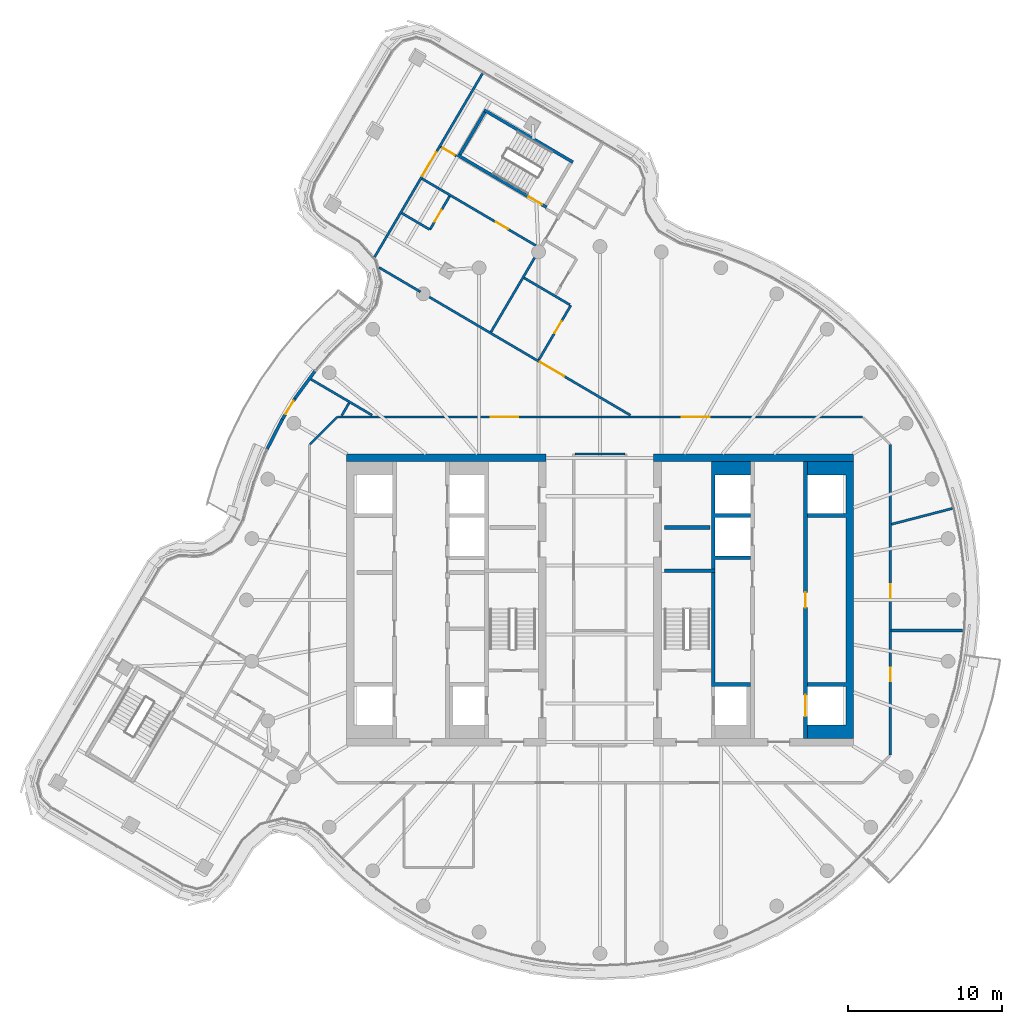
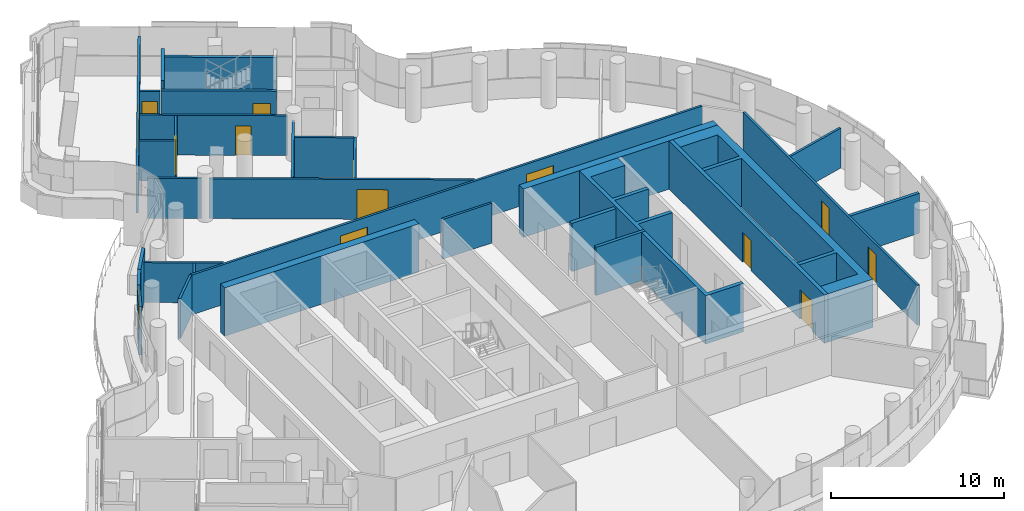
# One storey, part 19 of 26: 31 walls, 14 doors, 14 openings.
"""IFC4 building model written with IfcOpenShell, lengths in metres."""

from ifc_helpers import new_model, si_unit, direction, frame, frame_2d, origin, place, context, subcontext, project, spatial, polyline, rectangle, outline, extrude, material, layer, layer_set, type_object, element, fill, save


model = new_model("IFC4")

# Units and contexts
model_context = context("Model", 3, precision=1e-05, world=origin(), true_north=direction((0.0, 1.0)))
body_context = subcontext(model_context, "Body", "Model", "MODEL_VIEW")
ifc_project = project(units=[si_unit("LENGTHUNIT", "METRE"), si_unit("AREAUNIT", "SQUARE_METRE"), si_unit("VOLUMEUNIT", "CUBIC_METRE"), si_unit("PLANEANGLEUNIT", "RADIAN"), si_unit("MASSUNIT", "GRAM", prefix="KILO")], contexts=[model_context])

# Site, building, storey
site_placement = place(None, origin())
site = spatial("IfcSite", under=ifc_project, at=site_placement, CompositionType="ELEMENT")
building_placement = place(site_placement, origin())
building = spatial("IfcBuilding", under=site, at=building_placement, Name="Tamarind Cross Interchange Tower", CompositionType="ELEMENT")
storey_placement = place(building_placement, frame((0.0, 0.0, 248.699951171875)))
storey = spatial("IfcBuildingStorey", under=building, at=storey_placement, Name="L63", CompositionType="ELEMENT", Elevation=248.699951171875)

# Walls
ifc_material_1 = material(Name="Concrete C40", Category="concrete")
ifc_layer_1 = layer(ifc_material_1, 0.199951171875)
ifc_layer_set_1 = layer_set([ifc_layer_1], Name="Concrete C40")
wall_type_1 = type_object("IfcWallType", Name="Balcony and garden door wall", PredefinedType="SOLIDWALL", material=ifc_layer_set_1)
wall_1_placement = place(storey_placement, frame((-18.543212890625, 14.889404296875, 0.0), z_axis=(0.0, 0.0, 1.0), x_axis=(-0.591779327433, -0.806100010931, 0.0)))
element("IfcWall", 1, at=wall_1_placement, inside=storey, type_object=wall_type_1, Name="EXW-L63-04-D02L", PredefinedType="SOLIDWALL", context=body_context, shape_type="SweptSolid", body=[
    extrude(rectangle(XDim=2.189453125, YDim=0.199951171875, at=frame_2d((1.0947265625, 0.0))), origin(), (0.0, 0.0, 1.0), 3.420166015625),
])
wall_2_placement = place(storey_placement, frame((-20.66845703125, 11.757080078125, 0.0), z_axis=(0.0, 0.0, 1.0), x_axis=(-0.455802604441, -0.890080887215, 0.0)))
element("IfcWall", 2, at=wall_2_placement, inside=storey, type_object=wall_type_1, Name="EXW-L63-04-D02R", PredefinedType="SOLIDWALL", context=body_context, shape_type="SweptSolid", body=[
    extrude(rectangle(XDim=2.189208984375, YDim=0.199951171875, at=frame_2d((1.0947265625, 0.0))), origin(), (0.0, 0.0, 1.0), 3.420166015625),
])

# Wall, opening, door
wall_3_placement = place(storey_placement, frame((-19.8388671875, 13.12451171875, 0.0), z_axis=(0.0, 0.0, 1.0), x_axis=(-0.518687324951, -0.854964010316, 0.0)))
wall_3 = element("IfcWall", 3, at=wall_3_placement, inside=storey, type_object=wall_type_1, Name="EXW-L63-04-D02", PredefinedType="SOLIDWALL", context=body_context, shape_type="SweptSolid", body=[
    extrude(rectangle(XDim=1.599365234375, YDim=0.199951171875, at=frame_2d((0.7998046875, 0.0))), origin(), (0.0, 0.0, 1.0), 3.420166015625),
])
opening_1_placement = place(wall_3_placement, frame((0.199951171875, 0.0, 0.0)))
opening_1 = element("IfcOpeningElement", 4, at=opening_1_placement, cuts=wall_3, Name="Opening D2", PredefinedType="OPENING", context=body_context, shape_type="SweptSolid", body=[
    extrude(rectangle(XDim=1.0, YDim=2.39990234375, at=frame_2d((0.5, 1.199951171875))), frame((0.0, 0.10986328125, 0.0), z_axis=(0.0, -1.0, 0.0), x_axis=(1.0, 0.0, 0.0)), (0.0, 0.0, 1.0), 0.219970703125),
])
ifc_material_2 = material(Name="Aluminium and toughened glass", Category="aluminium")
door_type_1 = type_object("IfcDoorType", Name="Balcony and garden door", OperationType="SINGLE_SWING_LEFT", PredefinedType="DOOR", material=ifc_material_2)
door_1_placement = place(opening_1_placement, origin())
door_1 = element("IfcDoor", 5, at=door_1_placement, inside=storey, type_object=door_type_1, Name="DOR-L63-04-02", OperationType="SINGLE_SWING_LEFT", OverallHeight=2.39990234375, OverallWidth=1.0, PredefinedType="DOOR", context=body_context, shape_type="SweptSolid", body=[
    extrude(rectangle(XDim=1.0, YDim=2.39990234375, at=frame_2d((0.5, 1.199951171875))), frame((0.0, 0.02490234375, 0.0), z_axis=(0.0, -1.0, 0.0), x_axis=(1.0, 0.0, 0.0)), (0.0, 0.0, 1.0), 0.050048828125),
])
fill(opening_1, door_1)

# Walls
ifc_material_3 = material(Name="Concrete C50", Category="concrete")
ifc_layer_2 = layer(ifc_material_3, 0.5)
ifc_layer_set_2 = layer_set([ifc_layer_2], Name="Concrete C50")
wall_type_2 = type_object("IfcWallType", Name="Core wall 500 mm Concrete C50", PredefinedType="SHEAR", material=ifc_layer_set_2)
wall_4_placement = place(storey_placement, frame((-16.5, 9.25, 0.0), z_axis=(0.0, 0.0, 1.0), x_axis=(1.0, 0.0, 0.0)))
element("IfcWall", 6, at=wall_4_placement, inside=storey, type_object=wall_type_2, Name="Core wall CWL-L63-W-NE", PredefinedType="SHEAR", context=body_context, shape_type="SweptSolid", body=[
    extrude(rectangle(XDim=13.0, YDim=0.5, at=frame_2d((6.5, 0.0))), origin(), (0.0, 0.0, 1.0), 3.420166015625),
])
wall_5_placement = place(storey_placement, origin())
element("IfcWall", 7, at=wall_5_placement, inside=storey, type_object=wall_type_2, Name="Core wall CWL-L63-E-A", PredefinedType="SHEAR", context=body_context, shape_type="SweptSolid", body=[
    extrude(outline(polyline([(13.5, -8.125), (13.5, -9.0), (16.0, -9.0), (16.5, -9.0), (16.5, 9.0), (16.0, 9.0), (13.5, 9.0), (13.5, 8.125), (16.0, 8.125), (16.0, 5.625), (13.5, 5.625), (13.5, 5.375), (16.0, 5.375), (16.0, -5.375), (13.5, -5.375), (13.5, -5.625), (16.0, -5.625), (16.0, -8.125), (13.5, -8.125)])), origin(), (0.0, 0.0, 1.0), 3.420166015625),
])
wall_6_placement = place(storey_placement, frame((16.5, 9.25, 0.0), z_axis=(0.0, 0.0, 1.0), x_axis=(-1.0, 0.0, 0.0)))
element("IfcWall", 8, at=wall_6_placement, inside=storey, type_object=wall_type_2, Name="Core wall CWL-L63-E-NE", PredefinedType="SHEAR", context=body_context, shape_type="SweptSolid", body=[
    extrude(rectangle(XDim=13.0, YDim=0.5, at=frame_2d((6.5, 0.0))), origin(), (0.0, 0.0, 1.0), 3.420166015625),
])
ifc_layer_3 = layer(ifc_material_3, 0.199951171875)
ifc_layer_set_3 = layer_set([ifc_layer_3], Name="Concrete C50")
wall_type_3 = type_object("IfcWallType", Name="Core web wall 200 mm Concrete C50", PredefinedType="SHEAR", material=ifc_layer_set_3)
wall_7_placement = place(storey_placement, frame((7.5, 1.89990234375, 0.0), z_axis=(0.0, 0.0, 1.0), x_axis=(-1.0, 0.0, 0.0)))
element("IfcWall", 9, at=wall_7_placement, inside=storey, type_object=wall_type_3, Name="Core wall CWL-L63-E-BD", PredefinedType="SHEAR", context=body_context, shape_type="SweptSolid", body=[
    extrude(rectangle(XDim=3.300048828125, YDim=0.199951171875, at=frame_2d((1.64990234375, 0.0))), origin(), (0.0, 0.0, 1.0), 3.420166015625),
])
ifc_layer_4 = layer(ifc_material_3, 0.25)
ifc_layer_set_4 = layer_set([ifc_layer_4], Name="Concrete C50")
wall_type_4 = type_object("IfcWallType", Name="Core web wall 250 mm Concrete C50", PredefinedType="SHEAR", material=ifc_layer_set_4)
wall_8_placement = place(storey_placement, origin())
element("IfcWall", 10, at=wall_8_placement, inside=storey, type_object=wall_type_4, Name="Core wall CWL-L63-E-BN", PredefinedType="SHEAR", context=body_context, shape_type="SweptSolid", body=[
    extrude(outline(polyline([(9.800048828125, -5.375), (7.5, -5.375), (7.5, 2.625), (9.800048828125, 2.625), (9.800048828125, 2.875), (7.5, 2.875), (7.5, 5.375), (9.800048828125, 5.375), (9.800048828125, 5.625), (7.5, 5.625), (7.5, 8.125), (9.800048828125, 8.125), (9.800048828125, 9.0), (7.5, 9.0), (7.25, 9.0), (7.25, -5.625), (7.5, -5.625), (9.800048828125, -5.625), (9.800048828125, -5.375)])), origin(), (0.0, 0.0, 1.0), 3.420166015625),
])

# Wall, openings, doors
wall_9_placement = place(storey_placement, frame((13.375, -9.0, 0.0), z_axis=(0.0, 0.0, 1.0), x_axis=(0.0, 1.0, 0.0)))
wall_9 = element("IfcWall", 11, at=wall_9_placement, inside=storey, type_object=wall_type_4, Name="Core wall CWL-L63-E-LA", PredefinedType="SHEAR", context=body_context, shape_type="SweptSolid", body=[
    extrude(rectangle(XDim=18.0, YDim=0.25, at=frame_2d((9.0, 0.0))), origin(), (0.0, 0.0, 1.0), 3.420166015625),
])
opening_2_placement = place(wall_9_placement, frame((1.425048828125, 0.0, 0.0)))
opening_2 = element("IfcOpeningElement", 12, at=opening_2_placement, cuts=wall_9, Name="Opening LD13L63", PredefinedType="OPENING", context=body_context, shape_type="SweptSolid", body=[
    extrude(rectangle(XDim=1.39990234375, YDim=2.10009765625, at=frame_2d((0.699951171875, 1.050048828125))), frame((0.0, 0.135009765625, 0.0), z_axis=(0.0, -1.0, 0.0), x_axis=(1.0, 0.0, 0.0)), (0.0, 0.0, 1.0), 0.27001953125),
])
opening_3_placement = place(wall_9_placement, frame((8.5, 0.0, 0.0)))
opening_3 = element("IfcOpeningElement", 13, at=opening_3_placement, cuts=wall_9, Name="Opening DCE9", PredefinedType="OPENING", context=body_context, shape_type="SweptSolid", body=[
    extrude(rectangle(XDim=1.0, YDim=2.10009765625, at=frame_2d((0.5, 1.050048828125))), frame((0.0, 0.135009765625, 0.0), z_axis=(0.0, -1.0, 0.0), x_axis=(1.0, 0.0, 0.0)), (0.0, 0.0, 1.0), 0.27001953125),
])
ifc_material_4 = material(Name="Steel, fire-resisting", Category="steel")
door_type_2 = type_object("IfcDoorType", Name="Core fire door 1000 x 2100 FD90", OperationType="SINGLE_SWING_LEFT", PredefinedType="DOOR", material=ifc_material_4)
door_2_placement = place(opening_3_placement, origin())
door_2 = element("IfcDoor", 14, at=door_2_placement, inside=storey, type_object=door_type_2, Name="L63 Housekeeping pantry door", OperationType="SINGLE_SWING_LEFT", OverallHeight=2.10009765625, OverallWidth=1.0, PredefinedType="DOOR", context=body_context, shape_type="SweptSolid", body=[
    extrude(rectangle(XDim=1.0, YDim=2.10009765625, at=frame_2d((0.5, 1.050048828125))), frame((0.0, 0.02490234375, 0.0), z_axis=(0.0, -1.0, 0.0), x_axis=(1.0, 0.0, 0.0)), (0.0, 0.0, 1.0), 0.050048828125),
])
fill(opening_3, door_2)
ifc_material_5 = material(Name="Stainless steel panel", Category="steel")
door_type_3 = type_object("IfcDoorType", Name="Lift landing door 1400 x 2100 E 120", OperationType="SLIDING_TO_LEFT", PredefinedType="DOOR", material=ifc_material_5)
door_3_placement = place(opening_2_placement, origin())
door_3 = element("IfcDoor", 15, at=door_3_placement, inside=storey, type_object=door_type_3, Name="L63 landing door LF13", OperationType="SLIDING_TO_LEFT", OverallHeight=2.10009765625, OverallWidth=1.39990234375, PredefinedType="DOOR", context=body_context, shape_type="SweptSolid", body=[
    extrude(rectangle(XDim=1.39990234375, YDim=2.10009765625, at=frame_2d((0.699951171875, 1.050048828125))), frame((0.0, 0.02490234375, 0.0), z_axis=(0.0, -1.0, 0.0), x_axis=(1.0, 0.0, 0.0)), (0.0, 0.0, 1.0), 0.050048828125),
])
fill(opening_2, door_3)

# Walls
ifc_material_6 = material(Name="Gypsum board partition on steel studs", Category="steel")
ifc_layer_5 = layer(ifc_material_6, 0.14990234375)
ifc_layer_set_5 = layer_set([ifc_layer_5], Name="Gypsum board partition on steel studs")
wall_type_5 = type_object("IfcWallType", Name="Partition 150 mm EI 120", PredefinedType="PARTITIONING", material=ifc_layer_set_5)
wall_10_placement = place(storey_placement, frame((-18.82958984375, 14.375732421875, 0.0), z_axis=(0.0, 0.0, 1.0), x_axis=(0.862085468811, -0.506762907547, 0.0)))
element("IfcWall", 16, at=wall_10_placement, inside=storey, type_object=wall_type_5, Name="Partition L63-012", PredefinedType="PARTITIONING", context=body_context, shape_type="SweptSolid", body=[
    extrude(rectangle(XDim=4.646240234375, YDim=0.14990234375, at=frame_2d((2.3232421875, 0.0))), origin(), (0.0, 0.0, 1.0), 2.823974609375),
])
wall_11_placement = place(storey_placement, frame((-14.37939453125, 21.63671875, 0.0), z_axis=(0.0, 0.0, 1.0), x_axis=(0.862098659061, -0.506740468134, 0.0)))
element("IfcWall", 17, at=wall_11_placement, inside=storey, type_object=wall_type_5, Name="Partition L63-013", PredefinedType="PARTITIONING", context=body_context, shape_type="SweptSolid", body=[
    extrude(rectangle(XDim=3.128662109375, YDim=0.14990234375, at=frame_2d((1.564453125, 0.0))), origin(), (0.0, 0.0, 1.0), 2.823974609375),
])

# Wall, opening, door
wall_12_placement = place(storey_placement, frame((-11.294189453125, 19.8232421875, 0.0), z_axis=(0.0, 0.0, 1.0), x_axis=(0.862088271049, -0.506758140457, 0.0)))
wall_12 = element("IfcWall", 18, at=wall_12_placement, inside=storey, type_object=wall_type_5, Name="Partition L63-014", PredefinedType="PARTITIONING", context=body_context, shape_type="SweptSolid", body=[
    extrude(rectangle(XDim=15.3955078125, YDim=0.14990234375, at=frame_2d((7.69775390625, 0.0))), origin(), (0.0, 0.0, 1.0), 2.823974609375),
])
opening_4_placement = place(wall_12_placement, frame((8.58349609375, 0.0, 0.0)))
opening_4 = element("IfcOpeningElement", 19, at=opening_4_placement, cuts=wall_12, Name="Opening D03", PredefinedType="OPENING", context=body_context, shape_type="SweptSolid", body=[
    extrude(rectangle(XDim=1.800048828125, YDim=2.10009765625, at=frame_2d((0.89990234375, 1.050048828125))), frame((0.0, 0.0849609375, 0.0), z_axis=(0.0, -1.0, 0.0), x_axis=(1.0, 0.0, 0.0)), (0.0, 0.0, 1.0), 0.169921875),
])
ifc_material_7 = material(Name="Fire-resisting door set")
door_type_4 = type_object("IfcDoorType", Name="Interior door 1800 x 2100 FD60S", OperationType="DOUBLE_DOOR_SINGLE_SWING", PredefinedType="DOOR", material=ifc_material_7)
door_4_placement = place(opening_4_placement, frame((1.800048828125, 0.0, 0.0), z_axis=(0.0, 0.0, 1.0), x_axis=(-1.0, 0.0, 0.0)))
door_4 = element("IfcDoor", 20, at=door_4_placement, inside=storey, type_object=door_type_4, Name="Door D03", OperationType="DOUBLE_DOOR_SINGLE_SWING", OverallHeight=2.10009765625, OverallWidth=1.800048828125, PredefinedType="DOOR", context=body_context, shape_type="SweptSolid", body=[
    extrude(rectangle(XDim=1.800048828125, YDim=2.10009765625, at=frame_2d((0.89990234375, 1.050048828125))), frame((0.0, 0.02490234375, 0.0), z_axis=(0.0, -1.0, 0.0), x_axis=(1.0, 0.0, 0.0)), (0.0, 0.0, 1.0), 0.050048828125),
])
fill(opening_4, door_4)

# Wall
wall_13_placement = place(storey_placement, frame((-12.896240234375, 25.172119140625, 0.0), z_axis=(0.0, 0.0, 1.0), x_axis=(0.862032569566, -0.506852886948, 0.0)))
element("IfcWall", 21, at=wall_13_placement, inside=storey, type_object=wall_type_5, Name="Partition L63-015", PredefinedType="PARTITIONING", context=body_context, shape_type="SweptSolid", body=[
    extrude(rectangle(XDim=2.10546875, YDim=0.14990234375, at=frame_2d((1.052734375, 0.0))), origin(), (0.0, 0.0, 1.0), 2.823974609375),
])

# Wall, opening, door
wall_14_placement = place(storey_placement, frame((-11.578369140625, 27.4140625, 0.0), z_axis=(0.0, 0.0, 1.0), x_axis=(0.862113201937, -0.50671572607, 0.0)))
wall_14 = element("IfcWall", 22, at=wall_14_placement, inside=storey, type_object=wall_type_5, Name="Partition L63-016", PredefinedType="PARTITIONING", context=body_context, shape_type="SweptSolid", body=[
    extrude(rectangle(XDim=8.58837890625, YDim=0.14990234375, at=frame_2d((4.294189453125, 0.0))), origin(), (0.0, 0.0, 1.0), 2.820068359375),
])
opening_5_placement = place(wall_14_placement, frame((5.575439453125, 0.0, 0.0)))
opening_5 = element("IfcOpeningElement", 23, at=opening_5_placement, cuts=wall_14, Name="Opening D04", PredefinedType="OPENING", context=body_context, shape_type="SweptSolid", body=[
    extrude(rectangle(XDim=0.89990234375, YDim=2.10009765625, at=frame_2d((0.449951171875, 1.050048828125))), frame((0.0, 0.0849609375, 0.0), z_axis=(0.0, -1.0, 0.0), x_axis=(1.0, 0.0, 0.0)), (0.0, 0.0, 1.0), 0.169921875),
])
door_type_5 = type_object("IfcDoorType", Name="Interior door 900 x 2100 FD60S", OperationType="SINGLE_SWING_LEFT", PredefinedType="DOOR", material=ifc_material_7)
door_5_placement = place(opening_5_placement, frame((0.89990234375, 0.0, 0.0), z_axis=(0.0, 0.0, 1.0), x_axis=(-1.0, 0.0, 0.0)))
door_5 = element("IfcDoor", 24, at=door_5_placement, inside=storey, type_object=door_type_5, Name="Door D04", OperationType="SINGLE_SWING_RIGHT", OverallHeight=2.10009765625, OverallWidth=0.89990234375, PredefinedType="DOOR", context=body_context, shape_type="SweptSolid", body=[
    extrude(rectangle(XDim=0.89990234375, YDim=2.10009765625, at=frame_2d((0.449951171875, 1.050048828125))), frame((0.0, 0.02490234375, 0.0), z_axis=(0.0, -1.0, 0.0), x_axis=(1.0, 0.0, 0.0)), (0.0, 0.0, 1.0), 0.050048828125),
])
fill(opening_5, door_5)

wall_15_placement = place(storey_placement, frame((-10.3623046875, 29.48291015625, 0.0), z_axis=(0.0, 0.0, 1.0), x_axis=(0.862071765069, -0.506786219102, 0.0)))
wall_15 = element("IfcWall", 25, at=wall_15_placement, inside=storey, type_object=wall_type_5, Name="Partition L63-017", PredefinedType="PARTITIONING", context=body_context, shape_type="SweptSolid", body=[
    extrude(rectangle(XDim=1.18603515625, YDim=0.14990234375, at=frame_2d((0.593017578125, 0.0))), origin(), (0.0, 0.0, 1.0), 2.823974609375),
])
opening_6_placement = place(wall_15_placement, frame((0.13623046875, 0.0, 0.0)))
opening_6 = element("IfcOpeningElement", 26, at=opening_6_placement, cuts=wall_15, Name="Opening D05", PredefinedType="OPENING", context=body_context, shape_type="SweptSolid", body=[
    extrude(rectangle(XDim=0.89990234375, YDim=2.10009765625, at=frame_2d((0.449951171875, 1.050048828125))), frame((0.0, 0.0849609375, 0.0), z_axis=(0.0, -1.0, 0.0), x_axis=(1.0, 0.0, 0.0)), (0.0, 0.0, 1.0), 0.169921875),
])
door_6_placement = place(opening_6_placement, origin())
door_6 = element("IfcDoor", 27, at=door_6_placement, inside=storey, type_object=door_type_5, Name="Door D05", OperationType="SINGLE_SWING_RIGHT", OverallHeight=2.10009765625, OverallWidth=0.89990234375, PredefinedType="DOOR", context=body_context, shape_type="SweptSolid", body=[
    extrude(rectangle(XDim=0.89990234375, YDim=2.10009765625, at=frame_2d((0.449951171875, 1.050048828125))), frame((0.0, 0.02490234375, 0.0), z_axis=(0.0, -1.0, 0.0), x_axis=(1.0, 0.0, 0.0)), (0.0, 0.0, 1.0), 0.050048828125),
])
fill(opening_6, door_6)

# Wall
wall_16_placement = place(storey_placement, frame((-4.934326171875, 20.9560546875, 0.0), z_axis=(0.0, 0.0, 1.0), x_axis=(0.862152421238, -0.506648993439, 0.0)))
element("IfcWall", 28, at=wall_16_placement, inside=storey, type_object=wall_type_5, Name="Partition L63-019", PredefinedType="PARTITIONING", context=body_context, shape_type="SweptSolid", body=[
    extrude(rectangle(XDim=3.4501953125, YDim=0.14990234375, at=frame_2d((1.72509765625, 0.0))), origin(), (0.0, 0.0, 1.0), 2.823974609375),
])

# Wall, openings, doors
wall_17_placement = place(storey_placement, frame((-17.06494140625, 11.89990234375, 0.0), z_axis=(0.0, 0.0, 1.0), x_axis=(1.0, 0.0, 0.0)))
wall_17 = element("IfcWall", 29, at=wall_17_placement, inside=storey, type_object=wall_type_5, Name="Partition L63-024", PredefinedType="PARTITIONING", context=body_context, shape_type="SweptSolid", body=[
    extrude(rectangle(XDim=34.1650390625, YDim=0.14990234375, at=frame_2d((17.08251953125, 0.0))), origin(), (0.0, 0.0, 1.0), 2.823974609375),
])
opening_7_placement = place(wall_17_placement, frame((22.39990234375, 0.0, 0.0)))
opening_7 = element("IfcOpeningElement", 30, at=opening_7_placement, cuts=wall_17, Name="Opening D11", PredefinedType="OPENING", context=body_context, shape_type="SweptSolid", body=[
    extrude(rectangle(XDim=1.800048828125, YDim=2.10009765625, at=frame_2d((0.89990234375, 1.050048828125))), frame((0.0, 0.0849609375, 0.0), z_axis=(0.0, -1.0, 0.0), x_axis=(1.0, 0.0, 0.0)), (0.0, 0.0, 1.0), 0.169921875),
])
opening_8_placement = place(wall_17_placement, frame((9.947998046875, 0.0, 0.0)))
opening_8 = element("IfcOpeningElement", 31, at=opening_8_placement, cuts=wall_17, Name="Opening D12", PredefinedType="OPENING", context=body_context, shape_type="SweptSolid", body=[
    extrude(rectangle(XDim=1.800048828125, YDim=2.10009765625, at=frame_2d((0.89990234375, 1.050048828125))), frame((0.0, 0.0849609375, 0.0), z_axis=(0.0, -1.0, 0.0), x_axis=(1.0, 0.0, 0.0)), (0.0, 0.0, 1.0), 0.169921875),
])
door_7_placement = place(opening_7_placement, frame((1.800048828125, 0.0, 0.0), z_axis=(0.0, 0.0, 1.0), x_axis=(-1.0, 0.0, 0.0)))
door_7 = element("IfcDoor", 32, at=door_7_placement, inside=storey, type_object=door_type_4, Name="Door D11", OperationType="DOUBLE_DOOR_SINGLE_SWING", OverallHeight=2.10009765625, OverallWidth=1.800048828125, PredefinedType="DOOR", context=body_context, shape_type="SweptSolid", body=[
    extrude(rectangle(XDim=1.800048828125, YDim=2.10009765625, at=frame_2d((0.89990234375, 1.050048828125))), frame((0.0, 0.02490234375, 0.0), z_axis=(0.0, -1.0, 0.0), x_axis=(1.0, 0.0, 0.0)), (0.0, 0.0, 1.0), 0.050048828125),
])
fill(opening_7, door_7)
door_8_placement = place(opening_8_placement, origin())
door_8 = element("IfcDoor", 33, at=door_8_placement, inside=storey, type_object=door_type_4, Name="Door D12", OperationType="DOUBLE_DOOR_SINGLE_SWING", OverallHeight=2.10009765625, OverallWidth=1.800048828125, PredefinedType="DOOR", context=body_context, shape_type="SweptSolid", body=[
    extrude(rectangle(XDim=1.800048828125, YDim=2.10009765625, at=frame_2d((0.89990234375, 1.050048828125))), frame((0.0, 0.02490234375, 0.0), z_axis=(0.0, -1.0, 0.0), x_axis=(1.0, 0.0, 0.0)), (0.0, 0.0, 1.0), 0.050048828125),
])
fill(opening_8, door_8)

# Walls
wall_18_placement = place(storey_placement, frame((-1.639892578125, 9.5, 0.0), z_axis=(0.0, 0.0, 1.0), x_axis=(1.0, 0.0, 0.0)))
element("IfcWall", 34, at=wall_18_placement, inside=storey, type_object=wall_type_5, Name="Partition L63-029", PredefinedType="PARTITIONING", context=body_context, shape_type="SweptSolid", body=[
    extrude(rectangle(XDim=3.27978515625, YDim=0.14990234375, at=frame_2d((1.639892578125, 0.0))), origin(), (0.0, 0.0, 1.0), 2.823974609375),
])
wall_19_placement = place(storey_placement, frame((18.977294921875, 4.927001953125, 0.0), z_axis=(0.0, 0.0, 1.0), x_axis=(0.967931825744, 0.251213018594, 0.0)))
element("IfcWall", 35, at=wall_19_placement, inside=storey, type_object=wall_type_5, Name="Partition L63-030", PredefinedType="PARTITIONING", context=body_context, shape_type="SweptSolid", body=[
    extrude(rectangle(XDim=4.086669921875, YDim=0.14990234375, at=frame_2d((2.04345703125, 0.0))), origin(), (0.0, 0.0, 1.0), 2.823974609375),
])
wall_20_placement = place(storey_placement, frame((-18.87158203125, 10.12841796875, 0.0), z_axis=(0.0, 0.0, 1.0), x_axis=(0.707106781187, 0.707106781187, 0.0)))
element("IfcWall", 36, at=wall_20_placement, inside=storey, type_object=wall_type_5, Name="Partition L63-031", PredefinedType="PARTITIONING", context=body_context, shape_type="SweptSolid", body=[
    extrude(rectangle(XDim=2.50537109375, YDim=0.14990234375, at=frame_2d((1.252685546875, 0.0))), origin(), (0.0, 0.0, 1.0), 2.823974609375),
])
wall_21_placement = place(storey_placement, frame((-16.8056640625, 11.9951171875, 0.0), z_axis=(0.0, 0.0, 1.0), x_axis=(0.506627709985, 0.862164928233, 0.0)))
element("IfcWall", 37, at=wall_21_placement, inside=storey, type_object=wall_type_5, Name="Partition L63-036", PredefinedType="PARTITIONING", context=body_context, shape_type="SweptSolid", body=[
    extrude(rectangle(XDim=0.95166015625, YDim=0.14990234375, at=frame_2d((0.475830078125, 0.0))), origin(), (0.0, 0.0, 1.0), 2.823974609375),
])

# Wall, opening, door
wall_22_placement = place(storey_placement, frame((-14.66162109375, 22.31689453125, 0.0), z_axis=(0.0, 0.0, 1.0), x_axis=(0.506732099473, 0.862103578094, 0.0)))
wall_22 = element("IfcWall", 38, at=wall_22_placement, inside=storey, type_object=wall_type_5, Name="Partition L63-042", PredefinedType="PARTITIONING", context=body_context, shape_type="SweptSolid", body=[
    extrude(rectangle(XDim=13.85546875, YDim=0.14990234375, at=frame_2d((6.927734375, 0.0))), origin(), (0.0, 0.0, 1.0), 2.820068359375),
])
opening_9_placement = place(wall_22_placement, frame((6.106689453125, 0.0, 0.0)))
opening_9 = element("IfcOpeningElement", 39, at=opening_9_placement, cuts=wall_22, Name="Opening D16", PredefinedType="OPENING", context=body_context, shape_type="SweptSolid", body=[
    extrude(rectangle(XDim=1.800048828125, YDim=2.10009765625, at=frame_2d((0.89990234375, 1.050048828125))), frame((0.0, 0.0849609375, 0.0), z_axis=(0.0, -1.0, 0.0), x_axis=(1.0, 0.0, 0.0)), (0.0, 0.0, 1.0), 0.169921875),
])
door_9_placement = place(opening_9_placement, origin())
door_9 = element("IfcDoor", 40, at=door_9_placement, inside=storey, type_object=door_type_4, Name="Door D16", OperationType="DOUBLE_DOOR_SINGLE_SWING", OverallHeight=2.10009765625, OverallWidth=1.800048828125, PredefinedType="DOOR", context=body_context, shape_type="SweptSolid", body=[
    extrude(rectangle(XDim=1.800048828125, YDim=2.10009765625, at=frame_2d((0.89990234375, 1.050048828125))), frame((0.0, 0.02490234375, 0.0), z_axis=(0.0, -1.0, 0.0), x_axis=(1.0, 0.0, 0.0)), (0.0, 0.0, 1.0), 0.050048828125),
])
fill(opening_9, door_9)

wall_23_placement = place(storey_placement, frame((-11.06396484375, 24.094970703125, 0.0), z_axis=(0.0, 0.0, 1.0), x_axis=(0.506813115259, 0.862055953057, 0.0)))
wall_23 = element("IfcWall", 41, at=wall_23_placement, inside=storey, type_object=wall_type_5, Name="Partition L63-043", PredefinedType="PARTITIONING", context=body_context, shape_type="SweptSolid", body=[
    extrude(rectangle(XDim=2.525634765625, YDim=0.14990234375, at=frame_2d((1.2626953125, 0.0))), origin(), (0.0, 0.0, 1.0), 2.823974609375),
])
opening_10_placement = place(wall_23_placement, frame((0.60009765625, 0.0, 0.0)))
opening_10 = element("IfcOpeningElement", 42, at=opening_10_placement, cuts=wall_23, Name="Opening D17", PredefinedType="OPENING", context=body_context, shape_type="SweptSolid", body=[
    extrude(rectangle(XDim=0.89990234375, YDim=2.10009765625, at=frame_2d((0.449951171875, 1.050048828125))), frame((0.0, 0.0849609375, 0.0), z_axis=(0.0, -1.0, 0.0), x_axis=(1.0, 0.0, 0.0)), (0.0, 0.0, 1.0), 0.169921875),
])
door_10_placement = place(opening_10_placement, origin())
door_10 = element("IfcDoor", 43, at=door_10_placement, inside=storey, type_object=door_type_5, Name="Door D17", OperationType="SINGLE_SWING_RIGHT", OverallHeight=2.10009765625, OverallWidth=0.89990234375, PredefinedType="DOOR", context=body_context, shape_type="SweptSolid", body=[
    extrude(rectangle(XDim=0.89990234375, YDim=2.10009765625, at=frame_2d((0.449951171875, 1.050048828125))), frame((0.0, 0.02490234375, 0.0), z_axis=(0.0, -1.0, 0.0), x_axis=(1.0, 0.0, 0.0)), (0.0, 0.0, 1.0), 0.050048828125),
])
fill(opening_10, door_10)

# Wall
wall_24_placement = place(storey_placement, frame((-7.089111328125, 17.438720703125, 0.0), z_axis=(0.0, 0.0, 1.0), x_axis=(0.506780667638, 0.862075028584, 0.0)))
element("IfcWall", 44, at=wall_24_placement, inside=storey, type_object=wall_type_5, Name="Partition L63-044", PredefinedType="PARTITIONING", context=body_context, shape_type="SweptSolid", body=[
    extrude(rectangle(XDim=5.83740234375, YDim=0.14990234375, at=frame_2d((2.918701171875, 0.0))), origin(), (0.0, 0.0, 1.0), 2.823974609375),
])

# Wall, opening, door
wall_25_placement = place(storey_placement, frame((-3.9833984375, 15.617919921875, 0.0), z_axis=(0.0, 0.0, 1.0), x_axis=(0.50683367945, 0.862043862791, 0.0)))
wall_25 = element("IfcWall", 45, at=wall_25_placement, inside=storey, type_object=wall_type_5, Name="Partition L63-046", PredefinedType="PARTITIONING", context=body_context, shape_type="SweptSolid", body=[
    extrude(rectangle(XDim=4.120361328125, YDim=0.14990234375, at=frame_2d((2.06005859375, 0.0))), origin(), (0.0, 0.0, 1.0), 2.823974609375),
])
opening_11_placement = place(wall_25_placement, frame((2.02001953125, 0.0, 0.0)))
opening_11 = element("IfcOpeningElement", 46, at=opening_11_placement, cuts=wall_25, Name="Opening D19", PredefinedType="OPENING", context=body_context, shape_type="SweptSolid", body=[
    extrude(rectangle(XDim=0.89990234375, YDim=2.10009765625, at=frame_2d((0.449951171875, 1.050048828125))), frame((0.0, 0.0849609375, 0.0), z_axis=(0.0, -1.0, 0.0), x_axis=(1.0, 0.0, 0.0)), (0.0, 0.0, 1.0), 0.169921875),
])
door_11_placement = place(opening_11_placement, origin())
door_11 = element("IfcDoor", 47, at=door_11_placement, inside=storey, type_object=door_type_5, Name="Door D19", OperationType="SINGLE_SWING_LEFT", OverallHeight=2.10009765625, OverallWidth=0.89990234375, PredefinedType="DOOR", context=body_context, shape_type="SweptSolid", body=[
    extrude(rectangle(XDim=0.89990234375, YDim=2.10009765625, at=frame_2d((0.449951171875, 1.050048828125))), frame((0.0, 0.02490234375, 0.0), z_axis=(0.0, -1.0, 0.0), x_axis=(1.0, 0.0, 0.0)), (0.0, 0.0, 1.0), 0.050048828125),
])
fill(opening_11, door_11)

# Wall, openings, doors
wall_26_placement = place(storey_placement, frame((18.89990234375, -10.10009765625, 0.0), z_axis=(0.0, 0.0, 1.0), x_axis=(0.0, 1.0, 0.0)))
wall_26 = element("IfcWall", 48, at=wall_26_placement, inside=storey, type_object=wall_type_5, Name="Partition L63-057", PredefinedType="PARTITIONING", context=body_context, shape_type="SweptSolid", body=[
    extrude(rectangle(XDim=20.2001953125, YDim=0.14990234375, at=frame_2d((10.10009765625, 0.0))), origin(), (0.0, 0.0, 1.0), 2.823974609375),
])
opening_12_placement = place(wall_26_placement, frame((4.800048828125, 0.0, 0.0)))
opening_12 = element("IfcOpeningElement", 49, at=opening_12_placement, cuts=wall_26, Name="Opening D27", PredefinedType="OPENING", context=body_context, shape_type="SweptSolid", body=[
    extrude(rectangle(XDim=0.89990234375, YDim=2.10009765625, at=frame_2d((0.449951171875, 1.050048828125))), frame((0.0, 0.0849609375, 0.0), z_axis=(0.0, -1.0, 0.0), x_axis=(1.0, 0.0, 0.0)), (0.0, 0.0, 1.0), 0.169921875),
])
opening_13_placement = place(wall_26_placement, frame((10.2109375, 0.0, 0.0)))
opening_13 = element("IfcOpeningElement", 50, at=opening_13_placement, cuts=wall_26, Name="Opening D28", PredefinedType="OPENING", context=body_context, shape_type="SweptSolid", body=[
    extrude(rectangle(XDim=0.89990234375, YDim=2.10009765625, at=frame_2d((0.449951171875, 1.050048828125))), frame((0.0, 0.0849609375, 0.0), z_axis=(0.0, -1.0, 0.0), x_axis=(1.0, 0.0, 0.0)), (0.0, 0.0, 1.0), 0.169921875),
])
door_12_placement = place(opening_12_placement, frame((0.89990234375, 0.0, 0.0), z_axis=(0.0, 0.0, 1.0), x_axis=(-1.0, 0.0, 0.0)))
door_12 = element("IfcDoor", 51, at=door_12_placement, inside=storey, type_object=door_type_5, Name="Door D27", OperationType="SINGLE_SWING_LEFT", OverallHeight=2.10009765625, OverallWidth=0.89990234375, PredefinedType="DOOR", context=body_context, shape_type="SweptSolid", body=[
    extrude(rectangle(XDim=0.89990234375, YDim=2.10009765625, at=frame_2d((0.449951171875, 1.050048828125))), frame((0.0, 0.02490234375, 0.0), z_axis=(0.0, -1.0, 0.0), x_axis=(1.0, 0.0, 0.0)), (0.0, 0.0, 1.0), 0.050048828125),
])
fill(opening_12, door_12)
door_13_placement = place(opening_13_placement, frame((0.89990234375, 0.0, 0.0), z_axis=(0.0, 0.0, 1.0), x_axis=(-1.0, 0.0, 0.0)))
door_13 = element("IfcDoor", 52, at=door_13_placement, inside=storey, type_object=door_type_5, Name="Door D28", OperationType="SINGLE_SWING_RIGHT", OverallHeight=2.10009765625, OverallWidth=0.89990234375, PredefinedType="DOOR", context=body_context, shape_type="SweptSolid", body=[
    extrude(rectangle(XDim=0.89990234375, YDim=2.10009765625, at=frame_2d((0.449951171875, 1.050048828125))), frame((0.0, 0.02490234375, 0.0), z_axis=(0.0, -1.0, 0.0), x_axis=(1.0, 0.0, 0.0)), (0.0, 0.0, 1.0), 0.050048828125),
])
fill(opening_13, door_13)

# Walls
ifc_layer_6 = layer(ifc_material_6, 0.199951171875)
ifc_layer_set_6 = layer_set([ifc_layer_6], Name="Gypsum board partition on steel studs")
wall_type_6 = type_object("IfcWallType", Name="Partition 200 mm EI 180", PredefinedType="PARTITIONING", material=ifc_layer_set_6)
wall_27_placement = place(storey_placement, frame((18.955078125, -2.0, 0.0), z_axis=(0.0, 0.0, 1.0), x_axis=(1.0, 0.0, 0.0)))
element("IfcWall", 53, at=wall_27_placement, inside=storey, type_object=wall_type_6, Name="Partition L63-028", PredefinedType="PARTITIONING", context=body_context, shape_type="SweptSolid", body=[
    extrude(rectangle(XDim=4.6494140625, YDim=0.199951171875, at=frame_2d((2.32470703125, 0.0))), origin(), (0.0, 0.0, 1.0), 2.823974609375),
])
ifc_layer_7 = layer(ifc_material_1, 0.25)
ifc_layer_set_7 = layer_set([ifc_layer_7], Name="Concrete C40")
wall_type_7 = type_object("IfcWallType", Name="Shaft and lobby wall 250 mm Concrete C40", PredefinedType="PARTITIONING", material=ifc_layer_set_7)
wall_28_placement = place(storey_placement, frame((7.14990234375, 4.719970703125, 0.0), z_axis=(0.0, 0.0, 1.0), x_axis=(-1.0, 0.0, 0.0)))
element("IfcWall", 54, at=wall_28_placement, inside=storey, type_object=wall_type_7, Name="Shaft wall CWL-L63-E-SVP", PredefinedType="PARTITIONING", context=body_context, shape_type="SweptSolid", body=[
    extrude(rectangle(XDim=2.949951171875, YDim=0.25, at=frame_2d((1.47509765625, 0.0))), origin(), (0.0, 0.0, 1.0), 3.420166015625),
])

# Wall, opening, door
ifc_layer_8 = layer(ifc_material_1, 0.199951171875)
ifc_layer_set_8 = layer_set([ifc_layer_8], Name="Concrete C40")
wall_type_8 = type_object("IfcWallType", Name="Stair shaft wall 200 mm Concrete C40", PredefinedType="SHEAR", material=ifc_layer_set_8)
wall_29_placement = place(storey_placement, frame((-3.479248046875, 25.552978515625, -0.139892578125), z_axis=(0.0, 0.0, 1.0), x_axis=(-0.862094350903, 0.506747797371, 0.0)))
wall_29 = element("IfcWall", 55, at=wall_29_placement, inside=storey, type_object=wall_type_8, Name="Core wall CWL-L63-ST4-H", PredefinedType="SHEAR", context=body_context, shape_type="SweptSolid", body=[
    extrude(rectangle(XDim=6.7001953125, YDim=0.199951171875, at=frame_2d((3.35009765625, 0.0))), origin(), (0.0, 0.0, 1.0), 2.9599609375),
])
opening_14_placement = place(wall_29_placement, frame((0.35009765625, 0.0, 0.0)))
opening_14 = element("IfcOpeningElement", 56, at=opening_14_placement, cuts=wall_29, Name="Opening ST4L63", PredefinedType="OPENING", context=body_context, shape_type="SweptSolid", body=[
    extrude(rectangle(XDim=1.0, YDim=2.10009765625, at=frame_2d((0.5, 1.050048828125))), frame((0.0, 0.10986328125, 0.0), z_axis=(0.0, -1.0, 0.0), x_axis=(1.0, 0.0, 0.0)), (0.0, 0.0, 1.0), 0.219970703125),
])
door_14_placement = place(opening_14_placement, origin())
door_14 = element("IfcDoor", 57, at=door_14_placement, inside=storey, type_object=door_type_2, Name="L63 stair door ST4", OperationType="SINGLE_SWING_LEFT", OverallHeight=2.10009765625, OverallWidth=1.0, PredefinedType="DOOR", context=body_context, shape_type="SweptSolid", body=[
    extrude(rectangle(XDim=1.0, YDim=2.10009765625, at=frame_2d((0.5, 1.050048828125))), frame((0.0, 0.02490234375, 0.0), z_axis=(0.0, -1.0, 0.0), x_axis=(1.0, 0.0, 0.0)), (0.0, 0.0, 1.0), 0.050048828125),
])
fill(opening_14, door_14)

# Walls
wall_30_placement = place(storey_placement, frame((-1.756591796875, 28.484130859375, -0.139892578125), z_axis=(0.0, 0.0, 1.0), x_axis=(-0.862094350903, 0.506747797371, 0.0)))
element("IfcWall", 58, at=wall_30_placement, inside=storey, type_object=wall_type_8, Name="Core wall CWL-L63-ST4-C", PredefinedType="SHEAR", context=body_context, shape_type="SweptSolid", body=[
    extrude(rectangle(XDim=6.7001953125, YDim=0.199951171875, at=frame_2d((3.35009765625, 0.0))), origin(), (0.0, 0.0, 1.0), 2.9599609375),
])
wall_31_placement = place(storey_placement, frame((0.0, 0.0, -0.139892578125)))
element("IfcWall", 59, at=wall_31_placement, inside=storey, type_object=wall_type_8, Name="Core wall CWL-L63-ST4-CF", PredefinedType="SHEAR", context=body_context, shape_type="SweptSolid", body=[
    extrude(outline(polyline([(-7.410888671875, 31.691650390625), (-7.583251953125, 31.793212890625), (-9.204833984375, 29.034423828125), (-9.0322265625, 28.93310546875), (-7.410888671875, 31.691650390625)])), origin(), (0.0, 0.0, 1.0), 3.56005859375),
])

save(model, "model.ifc")
